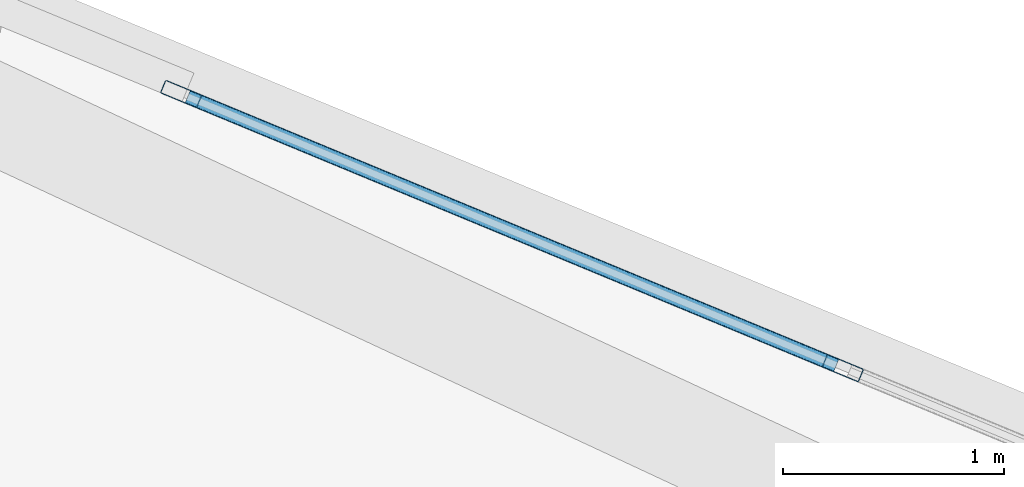
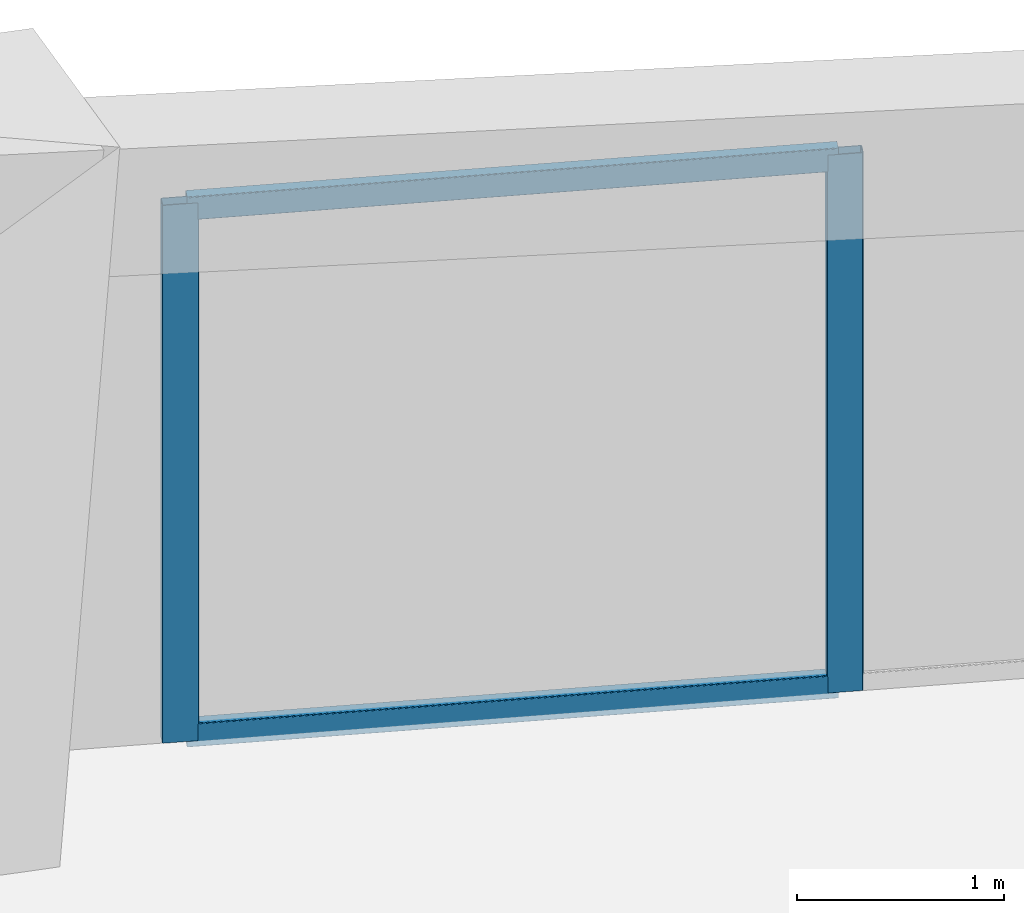
# One storey, part 13 of 22: 4 members, 1 element without a shape of its own.
"""IFC4 building model written with IfcOpenShell, lengths in metres."""

from ifc_helpers import new_model, si_unit, direction, frame, origin, origin_2d, place, context, subcontext, project, spatial, hollow_rectangle, extrude, source, transform, mapped, material, material_profile, profile_set, type_object, element, aggregate, save


model = new_model("IFC4")

# Units and contexts
model_context = context("Model", 3, precision=1e-05, world=origin(), true_north=direction((0.0, 1.0)))
body_context = subcontext(model_context, "Body", "Model", "MODEL_VIEW")
ifc_project = project(units=[si_unit("LENGTHUNIT", "METRE"), si_unit("AREAUNIT", "SQUARE_METRE"), si_unit("VOLUMEUNIT", "CUBIC_METRE"), si_unit("PLANEANGLEUNIT", "RADIAN"), si_unit("MASSUNIT", "GRAM", prefix="KILO")], contexts=[model_context])

# Site, building, storey
site_placement = place(None, origin())
site = spatial("IfcSite", under=ifc_project, at=site_placement, CompositionType="ELEMENT")
building_placement = place(site_placement, origin())
building = spatial("IfcBuilding", under=site, at=building_placement, Name="Torre Montelarca", CompositionType="ELEMENT")
storey_placement = place(building_placement, frame((0.0, 0.0, 149.800048828125)))
storey = spatial("IfcBuildingStorey", under=building, at=storey_placement, Name="L33", CompositionType="ELEMENT", Elevation=149.800048828125)

# Curtain wall, members
ifc_material_1 = material(Name="Insulated low-E laminated glass", Category="glass")
curtain_wall_type = type_object("IfcCurtainWallType", Name="CW-SYS-Z2", PredefinedType="USERDEFINED", material=ifc_material_1)
curtain_wall_placement = place(storey_placement, origin())
curtain_wall = element("IfcCurtainWall", 1, at=curtain_wall_placement, inside=storey, type_object=curtain_wall_type, Name="L33 Curtain Wall Run CW-T3-L33-E08-B2", ObjectType="UNITISED GLAZING", PredefinedType="USERDEFINED")
ifc_material_2 = material(Name="Anodised aluminium AA 6063-T6", Category="aluminium")
ifc_material_profile_1 = material_profile(ifc_material_2, hollow_rectangle(XDim=0.06494140625, YDim=0.179931640625, WallThickness=0.00390625, InnerFilletRadius=0.00390625, OuterFilletRadius=0.008056640625, at=origin_2d()), Name="ALU65X180X4", Category="aluminium")
ifc_profile_set_1 = profile_set([ifc_material_profile_1], Name="Anodised aluminium AA 6063-T6")
member_type_1 = type_object("IfcMemberType", Name="CWM-ALU180", PredefinedType="MULLION", material=ifc_profile_set_1)
shared_shape_1 = source(origin(), body_context, "Body", "SweptSolid", [
    extrude(hollow_rectangle(XDim=0.06494140625, YDim=0.179931640625, WallThickness=0.00390625, InnerFilletRadius=0.00390625, OuterFilletRadius=0.008056640625, at=origin_2d()), origin(), (0.0, 0.0, 1.0), 3.175048828125),
])
member_1_placement = place(storey_placement, frame((20.722412109375, 49.716064453125, 0.0), z_axis=(0.0, 0.0, 1.0), x_axis=(-0.382692103459, -0.923875940779, 0.0)))
member_1 = element("IfcMember", 2, at=member_1_placement, type_object=member_type_1, Name="CW mullion 2", PredefinedType="MULLION", context=body_context, shape_type="MappedRepresentation", body=[
    mapped(shared_shape_1, transform((0.0, 0.0, 0.0), scale=1.0)),
])
member_2_placement = place(storey_placement, frame((17.7275390625, 50.956787109375, 0.0), z_axis=(0.0, 0.0, 1.0), x_axis=(-0.382692103459, -0.923875940779, 0.0)))
member_2 = element("IfcMember", 3, at=member_2_placement, type_object=member_type_1, Name="CW mullion 3", PredefinedType="MULLION", context=body_context, shape_type="MappedRepresentation", body=[
    mapped(shared_shape_1, transform((0.0, 0.0, 0.0), scale=1.0)),
])
ifc_material_profile_2 = material_profile(ifc_material_2, hollow_rectangle(XDim=0.06494140625, YDim=0.139892578125, WallThickness=0.00390625, InnerFilletRadius=0.00390625, OuterFilletRadius=0.008056640625, at=origin_2d()), Name="ALU65X140X4", Category="aluminium")
ifc_profile_set_2 = profile_set([ifc_material_profile_2], Name="Anodised aluminium AA 6063-T6")
member_type_2 = type_object("IfcMemberType", Name="CWT-ALU140", PredefinedType="USERDEFINED", material=ifc_profile_set_2)
shared_shape_2 = source(origin(), body_context, "Body", "SweptSolid", [
    extrude(hollow_rectangle(XDim=0.06494140625, YDim=0.139892578125, WallThickness=0.00390625, InnerFilletRadius=0.00390625, OuterFilletRadius=0.008056640625, at=origin_2d()), origin(), (0.0, 0.0, 1.0), 3.1767578125),
])
member_3_placement = place(storey_placement, frame((20.6923828125, 49.728515625, 0.032470703125), z_axis=(-0.923859457531, 0.382731894061, 0.0), x_axis=(-0.382731894061, -0.923859457531, 0.0)))
member_3 = element("IfcMember", 4, at=member_3_placement, type_object=member_type_2, Name="CW transom 2.1", ObjectType="TRANSOM", PredefinedType="USERDEFINED", context=body_context, shape_type="MappedRepresentation", body=[
    mapped(shared_shape_2, transform((0.0, 0.0, 0.0), scale=1.0)),
])
member_4_placement = place(storey_placement, frame((20.6923828125, 49.728515625, 3.142333984375), z_axis=(-0.923859457531, 0.382731894061, 0.0), x_axis=(-0.382731894061, -0.923859457531, 0.0)))
member_4 = element("IfcMember", 5, at=member_4_placement, type_object=member_type_2, Name="CW transom 2.2", ObjectType="TRANSOM", PredefinedType="USERDEFINED", context=body_context, shape_type="MappedRepresentation", body=[
    mapped(shared_shape_2, transform((0.0, 0.0, 0.0), scale=1.0)),
])
aggregate(curtain_wall, [member_1, member_2, member_3, member_4])

save(model, "model.ifc")
